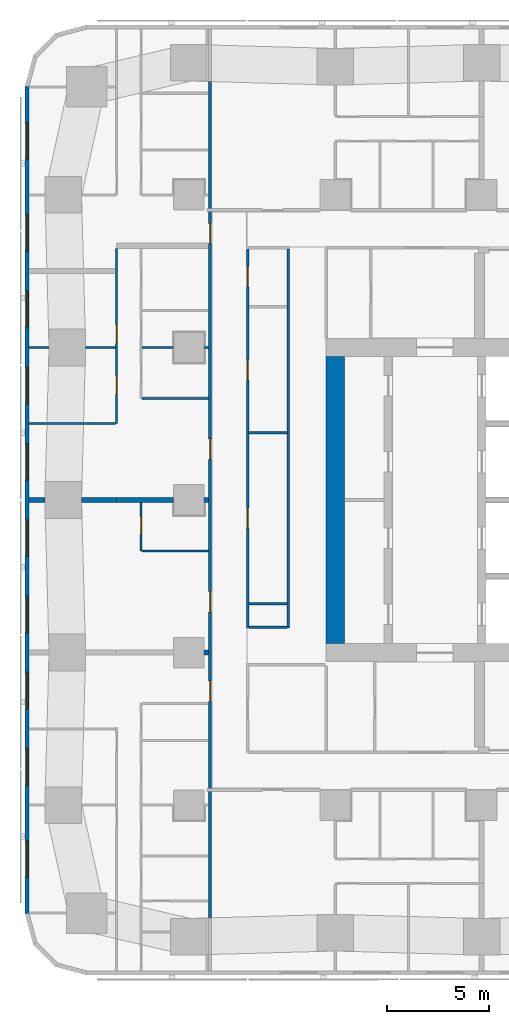
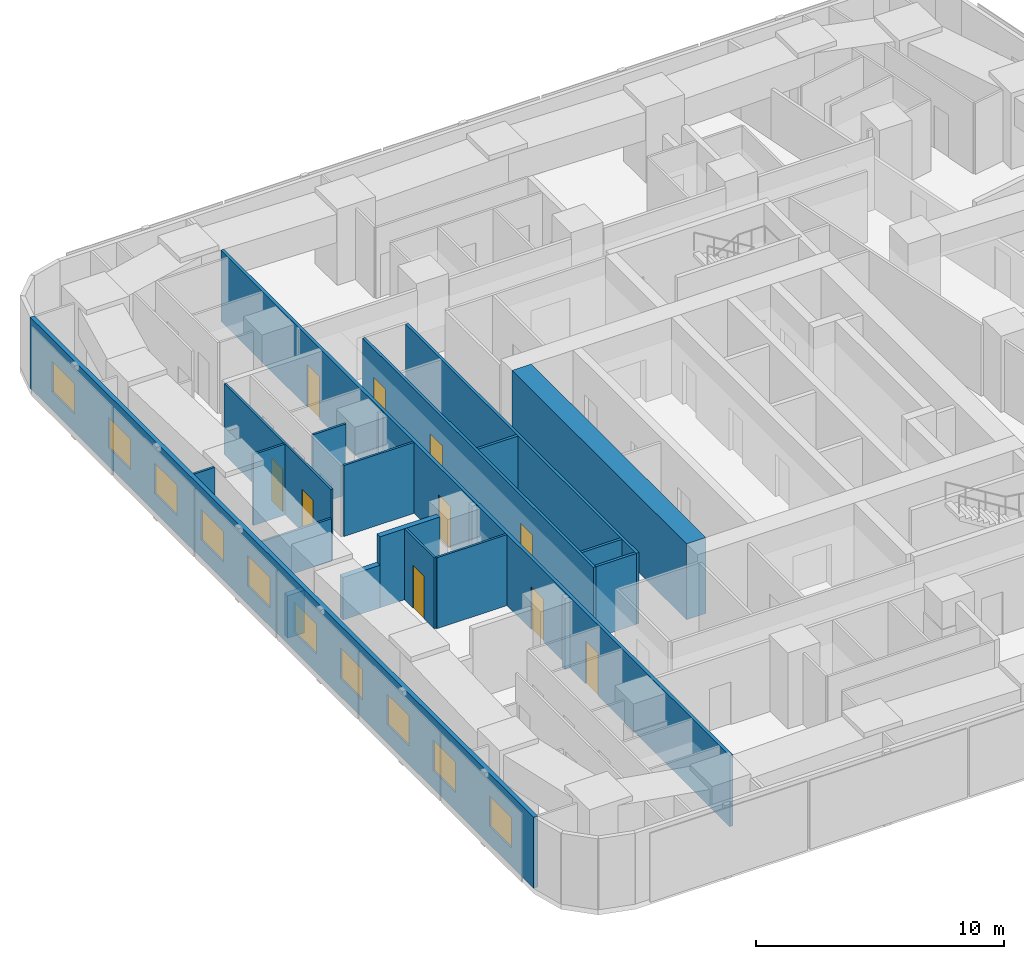
# One storey, part 4 of 15: 22 walls, 10 doors, 10 windows, 20 openings.
"""IFC4 building model written with IfcOpenShell, lengths in metres."""

from ifc_helpers import new_model, si_unit, direction, frame, frame_2d, origin, place, context, subcontext, project, spatial, rectangle, extrude, material, layer, layer_set, type_object, element, fill, save


model = new_model("IFC4")

# Units and contexts
model_context = context("Model", 3, precision=1e-05, world=origin(), true_north=direction((0.0, 1.0)))
body_context = subcontext(model_context, "Body", "Model", "MODEL_VIEW")
ifc_project = project(units=[si_unit("LENGTHUNIT", "METRE"), si_unit("AREAUNIT", "SQUARE_METRE"), si_unit("VOLUMEUNIT", "CUBIC_METRE"), si_unit("PLANEANGLEUNIT", "RADIAN"), si_unit("MASSUNIT", "GRAM", prefix="KILO")], contexts=[model_context])

# Site, building, storey
site_placement = place(None, origin())
site = spatial("IfcSite", under=ifc_project, at=site_placement, CompositionType="ELEMENT")
building_placement = place(site_placement, origin())
building = spatial("IfcBuilding", under=site, at=building_placement, Name="Sheger Commons Tower", CompositionType="ELEMENT")
storey_placement = place(building_placement, frame((0.0, 0.0, 169.550048828125)))
storey = spatial("IfcBuildingStorey", under=building, at=storey_placement, Name="L43", CompositionType="ELEMENT", Elevation=169.550048828125)

# Wall
ifc_material_1 = material(Name="Concrete C50/60", Category="concrete")
ifc_layer_1 = layer(ifc_material_1, 0.89990234375)
ifc_layer_set_1 = layer_set([ifc_layer_1], Name="CORE WALL 900")
wall_type_1 = type_object("IfcWallType", Name="CORE WALL 900", PredefinedType="SHEAR", material=ifc_layer_set_1)
wall_1_placement = place(storey_placement, frame((14.39990234375, 15.449951171875, 0.0), z_axis=(0.0, 0.0, 1.0), x_axis=(0.0, 1.0, 0.0)))
element("IfcWall", 1, at=wall_1_placement, inside=storey, type_object=wall_type_1, Name="Core wall west L43", PredefinedType="SHEAR", context=body_context, shape_type="SweptSolid", body=[
    extrude(rectangle(XDim=14.10009765625, YDim=0.89990234375, at=frame_2d((7.050048828125, 0.0))), origin(), (0.0, 0.0, 1.0), 3.75),
])

# Wall, openings, doors
ifc_material_2 = material(Name="Hollow concrete block masonry, skimmed both sides", Category="masonry")
ifc_layer_2 = layer(ifc_material_2, 0.14990234375)
ifc_layer_set_2 = layer_set([ifc_layer_2], Name="CORRIDOR WALL 150")
wall_type_2 = type_object("IfcWallType", Name="CORRIDOR WALL 150", PredefinedType="SOLIDWALL", material=ifc_layer_set_2)
wall_2_placement = place(storey_placement, frame((8.25, 1.95703125, 0.0), z_axis=(0.0, 0.0, 1.0), x_axis=(0.0, 1.0, 0.0)))
wall_2 = element("IfcWall", 2, at=wall_2_placement, inside=storey, type_object=wall_type_2, Name="Corridor wall L43", PredefinedType="SOLIDWALL", context=body_context, shape_type="SweptSolid", body=[
    extrude(rectangle(XDim=41.111083984375, YDim=0.14990234375, at=frame_2d((20.5556640625, 0.0))), origin(), (0.0, 0.0, 1.0), 3.5),
])
opening_1_placement = place(wall_2_placement, frame((10.64208984375, 0.0, 0.0)))
opening_1 = element("IfcOpeningElement", 3, at=opening_1_placement, cuts=wall_2, Name="Opening D1", PredefinedType="OPENING", context=body_context, shape_type="SweptSolid", body=[
    extrude(rectangle(XDim=1.0, YDim=2.10009765625, at=frame_2d((0.5, 1.050048828125))), frame((0.0, 0.0849609375, 0.0), z_axis=(0.0, -1.0, 0.0), x_axis=(1.0, 0.0, 0.0)), (0.0, 0.0, 1.0), 0.169921875),
])
opening_2_placement = place(wall_2_placement, frame((15.0419921875, 0.0, 0.0)))
opening_2 = element("IfcOpeningElement", 4, at=opening_2_placement, cuts=wall_2, Name="Opening D1", PredefinedType="OPENING", context=body_context, shape_type="SweptSolid", body=[
    extrude(rectangle(XDim=1.0, YDim=2.10009765625, at=frame_2d((0.5, 1.050048828125))), frame((0.0, 0.0849609375, 0.0), z_axis=(0.0, -1.0, 0.0), x_axis=(1.0, 0.0, 0.0)), (0.0, 0.0, 1.0), 0.169921875),
])
opening_3_placement = place(wall_2_placement, frame((22.54296875, 0.0, 0.0)))
opening_3 = element("IfcOpeningElement", 5, at=opening_3_placement, cuts=wall_2, Name="Opening D1", PredefinedType="OPENING", context=body_context, shape_type="SweptSolid", body=[
    extrude(rectangle(XDim=1.0, YDim=2.10009765625, at=frame_2d((0.5, 1.050048828125))), frame((0.0, 0.0849609375, 0.0), z_axis=(0.0, -1.0, 0.0), x_axis=(1.0, 0.0, 0.0)), (0.0, 0.0, 1.0), 0.169921875),
])
opening_4_placement = place(wall_2_placement, frame((33.14208984375, 0.0, 0.0)))
opening_4 = element("IfcOpeningElement", 6, at=opening_4_placement, cuts=wall_2, Name="Opening D1", PredefinedType="OPENING", context=body_context, shape_type="SweptSolid", body=[
    extrude(rectangle(XDim=1.0, YDim=2.10009765625, at=frame_2d((0.5, 1.050048828125))), frame((0.0, 0.0849609375, 0.0), z_axis=(0.0, -1.0, 0.0), x_axis=(1.0, 0.0, 0.0)), (0.0, 0.0, 1.0), 0.169921875),
])
ifc_material_3 = material(Name="Steel door set, fire rated", Category="steel")
door_type_1 = type_object("IfcDoorType", Name="FLAT ENTRANCE DOOR 1000x2100", OperationType="NOTDEFINED", PredefinedType="DOOR", material=ifc_material_3)
door_1_placement = place(opening_1_placement, origin())
door_1 = element("IfcDoor", 7, at=door_1_placement, inside=storey, type_object=door_type_1, Name="Flat entrance door", OperationType="SINGLE_SWING_LEFT", OverallHeight=2.10009765625, OverallWidth=1.0, PredefinedType="DOOR", context=body_context, shape_type="SweptSolid", body=[
    extrude(rectangle(XDim=1.0, YDim=2.10009765625, at=frame_2d((0.5, 1.050048828125))), frame((0.0, 0.02490234375, 0.0), z_axis=(0.0, -1.0, 0.0), x_axis=(1.0, 0.0, 0.0)), (0.0, 0.0, 1.0), 0.050048828125),
])
fill(opening_1, door_1)
door_2_placement = place(opening_2_placement, origin())
door_2 = element("IfcDoor", 8, at=door_2_placement, inside=storey, type_object=door_type_1, Name="Flat entrance door", OperationType="SINGLE_SWING_LEFT", OverallHeight=2.10009765625, OverallWidth=1.0, PredefinedType="DOOR", context=body_context, shape_type="SweptSolid", body=[
    extrude(rectangle(XDim=1.0, YDim=2.10009765625, at=frame_2d((0.5, 1.050048828125))), frame((0.0, 0.02490234375, 0.0), z_axis=(0.0, -1.0, 0.0), x_axis=(1.0, 0.0, 0.0)), (0.0, 0.0, 1.0), 0.050048828125),
])
fill(opening_2, door_2)
door_3_placement = place(opening_3_placement, origin())
door_3 = element("IfcDoor", 9, at=door_3_placement, inside=storey, type_object=door_type_1, Name="Flat entrance door", OperationType="SINGLE_SWING_LEFT", OverallHeight=2.10009765625, OverallWidth=1.0, PredefinedType="DOOR", context=body_context, shape_type="SweptSolid", body=[
    extrude(rectangle(XDim=1.0, YDim=2.10009765625, at=frame_2d((0.5, 1.050048828125))), frame((0.0, 0.02490234375, 0.0), z_axis=(0.0, -1.0, 0.0), x_axis=(1.0, 0.0, 0.0)), (0.0, 0.0, 1.0), 0.050048828125),
])
fill(opening_3, door_3)
door_4_placement = place(opening_4_placement, origin())
door_4 = element("IfcDoor", 10, at=door_4_placement, inside=storey, type_object=door_type_1, Name="Flat entrance door", OperationType="SINGLE_SWING_LEFT", OverallHeight=2.10009765625, OverallWidth=1.0, PredefinedType="DOOR", context=body_context, shape_type="SweptSolid", body=[
    extrude(rectangle(XDim=1.0, YDim=2.10009765625, at=frame_2d((0.5, 1.050048828125))), frame((0.0, 0.02490234375, 0.0), z_axis=(0.0, -1.0, 0.0), x_axis=(1.0, 0.0, 0.0)), (0.0, 0.0, 1.0), 0.050048828125),
])
fill(opening_4, door_4)

# Walls
ifc_material_4 = material(Name="Dense concrete block masonry, plastered both sides (separating wall between flats)", Category="masonry")
ifc_layer_3 = layer(ifc_material_4, 0.25)
ifc_layer_set_3 = layer_set([ifc_layer_3], Name="DEMISING WALL 250")
wall_type_3 = type_object("IfcWallType", Name="DEMISING WALL 250", PredefinedType="SOLIDWALL", material=ifc_layer_set_3)
wall_3_placement = place(storey_placement, frame((7.950927734375, 15.0, 0.0), z_axis=(0.0, 0.0, 1.0), x_axis=(1.0, 0.0, 0.0)))
element("IfcWall", 11, at=wall_3_placement, inside=storey, type_object=wall_type_3, Name="Demising wall L43", PredefinedType="SOLIDWALL", context=body_context, shape_type="SweptSolid", body=[
    extrude(rectangle(XDim=0.22412109375, YDim=0.25, at=frame_2d((0.112060546875, 0.0))), origin(), (0.0, 0.0, 1.0), 3.5),
])
wall_4_placement = place(storey_placement, frame((-0.64990234375, 22.5, 0.0), z_axis=(0.0, 0.0, 1.0), x_axis=(1.0, 0.0, 0.0)))
element("IfcWall", 12, at=wall_4_placement, inside=storey, type_object=wall_type_3, Name="Demising wall L43", PredefinedType="SOLIDWALL", context=body_context, shape_type="SweptSolid", body=[
    extrude(rectangle(XDim=0.77392578125, YDim=0.25, at=frame_2d((0.386962890625, 0.0))), origin(), (0.0, 0.0, 1.0), 2.099853515625),
])
wall_5_placement = place(storey_placement, frame((1.926025390625, 22.5, 0.0), z_axis=(0.0, 0.0, 1.0), x_axis=(1.0, 0.0, 0.0)))
element("IfcWall", 13, at=wall_5_placement, inside=storey, type_object=wall_type_3, Name="Demising wall L43", PredefinedType="SOLIDWALL", context=body_context, shape_type="SweptSolid", body=[
    extrude(rectangle(XDim=1.723876953125, YDim=0.25, at=frame_2d((0.86181640625, 0.0))), origin(), (0.0, 0.0, 1.0), 2.099853515625),
])
wall_6_placement = place(storey_placement, frame((3.64990234375, 22.5, 0.0), z_axis=(0.0, 0.0, 1.0), x_axis=(1.0, 0.0, 0.0)))
element("IfcWall", 14, at=wall_6_placement, inside=storey, type_object=wall_type_3, Name="Demising wall L43", PredefinedType="SOLIDWALL", context=body_context, shape_type="SweptSolid", body=[
    extrude(rectangle(XDim=2.799072265625, YDim=0.25, at=frame_2d((1.3994140625, 0.0))), origin(), (0.0, 0.0, 1.0), 3.5),
])
wall_7_placement = place(storey_placement, frame((7.950927734375, 22.5, 0.0), z_axis=(0.0, 0.0, 1.0), x_axis=(1.0, 0.0, 0.0)))
element("IfcWall", 15, at=wall_7_placement, inside=storey, type_object=wall_type_3, Name="Demising wall L43", PredefinedType="SOLIDWALL", context=body_context, shape_type="SweptSolid", body=[
    extrude(rectangle(XDim=0.22412109375, YDim=0.25, at=frame_2d((0.112060546875, 0.0))), origin(), (0.0, 0.0, 1.0), 3.5),
])

# Wall, openings, windows
ifc_material_5 = material(Name="Rendered concrete block masonry, dark grey", Category="masonry")
ifc_layer_4 = layer(ifc_material_5, 0.199951171875)
ifc_layer_set_4 = layer_set([ifc_layer_4], Name="FACADE WALL 200")
wall_type_4 = type_object("IfcWallType", Name="FACADE WALL 200", PredefinedType="SOLIDWALL", material=ifc_layer_set_4)
wall_8_placement = place(storey_placement, frame((-0.75, 42.8369140625, 0.0), z_axis=(0.0, 0.0, 1.0), x_axis=(0.0, -1.0, 0.0)))
wall_8 = element("IfcWall", 16, at=wall_8_placement, inside=storey, type_object=wall_type_4, Name="Facade wall L43", PredefinedType="SOLIDWALL", context=body_context, shape_type="SweptSolid", body=[
    extrude(rectangle(XDim=40.673828125, YDim=0.199951171875, at=frame_2d((20.3369140625, 0.0))), origin(), (0.0, 0.0, 1.0), 3.5),
])
opening_5_placement = place(wall_8_placement, frame((1.780029296875, 0.0, 0.89990234375)))
opening_5 = element("IfcOpeningElement", 17, at=opening_5_placement, cuts=wall_8, Name="Opening W2", PredefinedType="OPENING", context=body_context, shape_type="SweptSolid", body=[
    extrude(rectangle(XDim=1.800048828125, YDim=1.5, at=frame_2d((0.89990234375, 0.75))), frame((0.0, 0.10986328125, 0.0), z_axis=(0.0, -1.0, 0.0), x_axis=(1.0, 0.0, 0.0)), (0.0, 0.0, 1.0), 0.219970703125),
])
opening_6_placement = place(wall_8_placement, frame((6.31201171875, 0.0, 0.89990234375)))
opening_6 = element("IfcOpeningElement", 18, at=opening_6_placement, cuts=wall_8, Name="Opening W2", PredefinedType="OPENING", context=body_context, shape_type="SweptSolid", body=[
    extrude(rectangle(XDim=1.800048828125, YDim=1.5, at=frame_2d((0.89990234375, 0.75))), frame((0.0, 0.10986328125, 0.0), z_axis=(0.0, -1.0, 0.0), x_axis=(1.0, 0.0, 0.0)), (0.0, 0.0, 1.0), 0.219970703125),
])
opening_7_placement = place(wall_8_placement, frame((10.06201171875, 0.0, 0.89990234375)))
opening_7 = element("IfcOpeningElement", 19, at=opening_7_placement, cuts=wall_8, Name="Opening W2", PredefinedType="OPENING", context=body_context, shape_type="SweptSolid", body=[
    extrude(rectangle(XDim=1.800048828125, YDim=1.5, at=frame_2d((0.89990234375, 0.75))), frame((0.0, 0.10986328125, 0.0), z_axis=(0.0, -1.0, 0.0), x_axis=(1.0, 0.0, 0.0)), (0.0, 0.0, 1.0), 0.219970703125),
])
opening_8_placement = place(wall_8_placement, frame((13.81201171875, 0.0, 0.89990234375)))
opening_8 = element("IfcOpeningElement", 20, at=opening_8_placement, cuts=wall_8, Name="Opening W2", PredefinedType="OPENING", context=body_context, shape_type="SweptSolid", body=[
    extrude(rectangle(XDim=1.800048828125, YDim=1.5, at=frame_2d((0.89990234375, 0.75))), frame((0.0, 0.10986328125, 0.0), z_axis=(0.0, -1.0, 0.0), x_axis=(1.0, 0.0, 0.0)), (0.0, 0.0, 1.0), 0.219970703125),
])
opening_9_placement = place(wall_8_placement, frame((17.56201171875, 0.0, 0.89990234375)))
opening_9 = element("IfcOpeningElement", 21, at=opening_9_placement, cuts=wall_8, Name="Opening W2", PredefinedType="OPENING", context=body_context, shape_type="SweptSolid", body=[
    extrude(rectangle(XDim=1.800048828125, YDim=1.5, at=frame_2d((0.89990234375, 0.75))), frame((0.0, 0.10986328125, 0.0), z_axis=(0.0, -1.0, 0.0), x_axis=(1.0, 0.0, 0.0)), (0.0, 0.0, 1.0), 0.219970703125),
])
opening_10_placement = place(wall_8_placement, frame((21.31201171875, 0.0, 0.89990234375)))
opening_10 = element("IfcOpeningElement", 22, at=opening_10_placement, cuts=wall_8, Name="Opening W2", PredefinedType="OPENING", context=body_context, shape_type="SweptSolid", body=[
    extrude(rectangle(XDim=1.800048828125, YDim=1.5, at=frame_2d((0.89990234375, 0.75))), frame((0.0, 0.10986328125, 0.0), z_axis=(0.0, -1.0, 0.0), x_axis=(1.0, 0.0, 0.0)), (0.0, 0.0, 1.0), 0.219970703125),
])
opening_11_placement = place(wall_8_placement, frame((25.06201171875, 0.0, 0.89990234375)))
opening_11 = element("IfcOpeningElement", 23, at=opening_11_placement, cuts=wall_8, Name="Opening W2", PredefinedType="OPENING", context=body_context, shape_type="SweptSolid", body=[
    extrude(rectangle(XDim=1.800048828125, YDim=1.5, at=frame_2d((0.89990234375, 0.75))), frame((0.0, 0.10986328125, 0.0), z_axis=(0.0, -1.0, 0.0), x_axis=(1.0, 0.0, 0.0)), (0.0, 0.0, 1.0), 0.219970703125),
])
opening_12_placement = place(wall_8_placement, frame((28.81201171875, 0.0, 0.89990234375)))
opening_12 = element("IfcOpeningElement", 24, at=opening_12_placement, cuts=wall_8, Name="Opening W2", PredefinedType="OPENING", context=body_context, shape_type="SweptSolid", body=[
    extrude(rectangle(XDim=1.800048828125, YDim=1.5, at=frame_2d((0.89990234375, 0.75))), frame((0.0, 0.10986328125, 0.0), z_axis=(0.0, -1.0, 0.0), x_axis=(1.0, 0.0, 0.0)), (0.0, 0.0, 1.0), 0.219970703125),
])
opening_13_placement = place(wall_8_placement, frame((32.56201171875, 0.0, 0.89990234375)))
opening_13 = element("IfcOpeningElement", 25, at=opening_13_placement, cuts=wall_8, Name="Opening W2", PredefinedType="OPENING", context=body_context, shape_type="SweptSolid", body=[
    extrude(rectangle(XDim=1.800048828125, YDim=1.5, at=frame_2d((0.89990234375, 0.75))), frame((0.0, 0.10986328125, 0.0), z_axis=(0.0, -1.0, 0.0), x_axis=(1.0, 0.0, 0.0)), (0.0, 0.0, 1.0), 0.219970703125),
])
opening_14_placement = place(wall_8_placement, frame((37.093994140625, 0.0, 0.89990234375)))
opening_14 = element("IfcOpeningElement", 26, at=opening_14_placement, cuts=wall_8, Name="Opening W2", PredefinedType="OPENING", context=body_context, shape_type="SweptSolid", body=[
    extrude(rectangle(XDim=1.800048828125, YDim=1.5, at=frame_2d((0.89990234375, 0.75))), frame((0.0, 0.10986328125, 0.0), z_axis=(0.0, -1.0, 0.0), x_axis=(1.0, 0.0, 0.0)), (0.0, 0.0, 1.0), 0.219970703125),
])
ifc_material_6 = material(Name="Black aluminium frame, dark tinted double glazing", Category="aluminium")
window_type = type_object("IfcWindowType", Name="WINDOW W2 1800x1500", PartitioningType="SINGLE_PANEL", PredefinedType="WINDOW", material=ifc_material_6)
window_1_placement = place(opening_5_placement, origin())
window_1 = element("IfcWindow", 27, at=window_1_placement, inside=storey, type_object=window_type, Name="Window W2 1800X1500", OverallHeight=1.5, OverallWidth=1.800048828125, PartitioningType="SINGLE_PANEL", PredefinedType="WINDOW", context=body_context, shape_type="SweptSolid", body=[
    extrude(rectangle(XDim=1.800048828125, YDim=1.5, at=frame_2d((0.89990234375, 0.75))), frame((0.0, 0.030029296875, 0.0), z_axis=(0.0, -1.0, 0.0), x_axis=(1.0, 0.0, 0.0)), (0.0, 0.0, 1.0), 0.06005859375),
])
fill(opening_5, window_1)
window_2_placement = place(opening_6_placement, origin())
window_2 = element("IfcWindow", 28, at=window_2_placement, inside=storey, type_object=window_type, Name="Window W2 1800X1500", OverallHeight=1.5, OverallWidth=1.800048828125, PartitioningType="SINGLE_PANEL", PredefinedType="WINDOW", context=body_context, shape_type="SweptSolid", body=[
    extrude(rectangle(XDim=1.800048828125, YDim=1.5, at=frame_2d((0.89990234375, 0.75))), frame((0.0, 0.030029296875, 0.0), z_axis=(0.0, -1.0, 0.0), x_axis=(1.0, 0.0, 0.0)), (0.0, 0.0, 1.0), 0.06005859375),
])
fill(opening_6, window_2)
window_3_placement = place(opening_7_placement, origin())
window_3 = element("IfcWindow", 29, at=window_3_placement, inside=storey, type_object=window_type, Name="Window W2 1800X1500", OverallHeight=1.5, OverallWidth=1.800048828125, PartitioningType="SINGLE_PANEL", PredefinedType="WINDOW", context=body_context, shape_type="SweptSolid", body=[
    extrude(rectangle(XDim=1.800048828125, YDim=1.5, at=frame_2d((0.89990234375, 0.75))), frame((0.0, 0.030029296875, 0.0), z_axis=(0.0, -1.0, 0.0), x_axis=(1.0, 0.0, 0.0)), (0.0, 0.0, 1.0), 0.06005859375),
])
fill(opening_7, window_3)
window_4_placement = place(opening_8_placement, origin())
window_4 = element("IfcWindow", 30, at=window_4_placement, inside=storey, type_object=window_type, Name="Window W2 1800X1500", OverallHeight=1.5, OverallWidth=1.800048828125, PartitioningType="SINGLE_PANEL", PredefinedType="WINDOW", context=body_context, shape_type="SweptSolid", body=[
    extrude(rectangle(XDim=1.800048828125, YDim=1.5, at=frame_2d((0.89990234375, 0.75))), frame((0.0, 0.030029296875, 0.0), z_axis=(0.0, -1.0, 0.0), x_axis=(1.0, 0.0, 0.0)), (0.0, 0.0, 1.0), 0.06005859375),
])
fill(opening_8, window_4)
window_5_placement = place(opening_9_placement, origin())
window_5 = element("IfcWindow", 31, at=window_5_placement, inside=storey, type_object=window_type, Name="Window W2 1800X1500", OverallHeight=1.5, OverallWidth=1.800048828125, PartitioningType="SINGLE_PANEL", PredefinedType="WINDOW", context=body_context, shape_type="SweptSolid", body=[
    extrude(rectangle(XDim=1.800048828125, YDim=1.5, at=frame_2d((0.89990234375, 0.75))), frame((0.0, 0.030029296875, 0.0), z_axis=(0.0, -1.0, 0.0), x_axis=(1.0, 0.0, 0.0)), (0.0, 0.0, 1.0), 0.06005859375),
])
fill(opening_9, window_5)
window_6_placement = place(opening_10_placement, origin())
window_6 = element("IfcWindow", 32, at=window_6_placement, inside=storey, type_object=window_type, Name="Window W2 1800X1500", OverallHeight=1.5, OverallWidth=1.800048828125, PartitioningType="SINGLE_PANEL", PredefinedType="WINDOW", context=body_context, shape_type="SweptSolid", body=[
    extrude(rectangle(XDim=1.800048828125, YDim=1.5, at=frame_2d((0.89990234375, 0.75))), frame((0.0, 0.030029296875, 0.0), z_axis=(0.0, -1.0, 0.0), x_axis=(1.0, 0.0, 0.0)), (0.0, 0.0, 1.0), 0.06005859375),
])
fill(opening_10, window_6)
window_7_placement = place(opening_11_placement, origin())
window_7 = element("IfcWindow", 33, at=window_7_placement, inside=storey, type_object=window_type, Name="Window W2 1800X1500", OverallHeight=1.5, OverallWidth=1.800048828125, PartitioningType="SINGLE_PANEL", PredefinedType="WINDOW", context=body_context, shape_type="SweptSolid", body=[
    extrude(rectangle(XDim=1.800048828125, YDim=1.5, at=frame_2d((0.89990234375, 0.75))), frame((0.0, 0.030029296875, 0.0), z_axis=(0.0, -1.0, 0.0), x_axis=(1.0, 0.0, 0.0)), (0.0, 0.0, 1.0), 0.06005859375),
])
fill(opening_11, window_7)
window_8_placement = place(opening_12_placement, origin())
window_8 = element("IfcWindow", 34, at=window_8_placement, inside=storey, type_object=window_type, Name="Window W2 1800X1500", OverallHeight=1.5, OverallWidth=1.800048828125, PartitioningType="SINGLE_PANEL", PredefinedType="WINDOW", context=body_context, shape_type="SweptSolid", body=[
    extrude(rectangle(XDim=1.800048828125, YDim=1.5, at=frame_2d((0.89990234375, 0.75))), frame((0.0, 0.030029296875, 0.0), z_axis=(0.0, -1.0, 0.0), x_axis=(1.0, 0.0, 0.0)), (0.0, 0.0, 1.0), 0.06005859375),
])
fill(opening_12, window_8)
window_9_placement = place(opening_13_placement, origin())
window_9 = element("IfcWindow", 35, at=window_9_placement, inside=storey, type_object=window_type, Name="Window W2 1800X1500", OverallHeight=1.5, OverallWidth=1.800048828125, PartitioningType="SINGLE_PANEL", PredefinedType="WINDOW", context=body_context, shape_type="SweptSolid", body=[
    extrude(rectangle(XDim=1.800048828125, YDim=1.5, at=frame_2d((0.89990234375, 0.75))), frame((0.0, 0.030029296875, 0.0), z_axis=(0.0, -1.0, 0.0), x_axis=(1.0, 0.0, 0.0)), (0.0, 0.0, 1.0), 0.06005859375),
])
fill(opening_13, window_9)
window_10_placement = place(opening_14_placement, origin())
window_10 = element("IfcWindow", 36, at=window_10_placement, inside=storey, type_object=window_type, Name="Window W2 1800X1500", OverallHeight=1.5, OverallWidth=1.800048828125, PartitioningType="SINGLE_PANEL", PredefinedType="WINDOW", context=body_context, shape_type="SweptSolid", body=[
    extrude(rectangle(XDim=1.800048828125, YDim=1.5, at=frame_2d((0.89990234375, 0.75))), frame((0.0, 0.030029296875, 0.0), z_axis=(0.0, -1.0, 0.0), x_axis=(1.0, 0.0, 0.0)), (0.0, 0.0, 1.0), 0.06005859375),
])
fill(opening_14, window_10)

# Wall, opening, door
ifc_material_7 = material(Name="Gypsum board on steel studs", Category="steel")
ifc_layer_5 = layer(ifc_material_7, 0.10009765625)
ifc_layer_set_5 = layer_set([ifc_layer_5], Name="PARTITION 100")
wall_type_5 = type_object("IfcWallType", Name="PARTITION 100", PredefinedType="PARTITIONING", material=ifc_layer_set_5)
wall_9_placement = place(storey_placement, frame((4.85009765625, 19.9990234375, 0.0), z_axis=(0.0, 0.0, 1.0), x_axis=(0.0, 1.0, 0.0)))
wall_9 = element("IfcWall", 37, at=wall_9_placement, inside=storey, type_object=wall_type_5, Name="Partition L43", PredefinedType="PARTITIONING", context=body_context, shape_type="SweptSolid", body=[
    extrude(rectangle(XDim=2.3759765625, YDim=0.10009765625, at=frame_2d((1.18798828125, 0.0))), origin(), (0.0, 0.0, 1.0), 3.5),
])
opening_15_placement = place(wall_9_placement, frame((0.800048828125, 0.0, 0.0)))
opening_15 = element("IfcOpeningElement", 38, at=opening_15_placement, cuts=wall_9, Name="Opening D2", PredefinedType="OPENING", context=body_context, shape_type="SweptSolid", body=[
    extrude(rectangle(XDim=0.89990234375, YDim=2.10009765625, at=frame_2d((0.449951171875, 1.050048828125))), frame((0.0, 0.06005859375, 0.0), z_axis=(0.0, -1.0, 0.0), x_axis=(1.0, 0.0, 0.0)), (0.0, 0.0, 1.0), 0.1201171875),
])
ifc_material_8 = material(Name="Timber door set", Category="wood")
door_type_2 = type_object("IfcDoorType", Name="INTERNAL DOOR 900x2100", OperationType="NOTDEFINED", PredefinedType="DOOR", material=ifc_material_8)
door_5_placement = place(opening_15_placement, origin())
door_5 = element("IfcDoor", 39, at=door_5_placement, inside=storey, type_object=door_type_2, Name="Bathroom door", OperationType="SINGLE_SWING_LEFT", OverallHeight=2.10009765625, OverallWidth=0.89990234375, PredefinedType="DOOR", context=body_context, shape_type="SweptSolid", body=[
    extrude(rectangle(XDim=0.89990234375, YDim=2.10009765625, at=frame_2d((0.449951171875, 1.050048828125))), frame((0.0, 0.02490234375, 0.0), z_axis=(0.0, -1.0, 0.0), x_axis=(1.0, 0.0, 0.0)), (0.0, 0.0, 1.0), 0.050048828125),
])
fill(opening_15, door_5)

# Wall
wall_10_placement = place(storey_placement, frame((4.89990234375, 19.9990234375, 0.0), z_axis=(0.0, 0.0, 1.0), x_axis=(1.0, 0.0, 0.0)))
element("IfcWall", 40, at=wall_10_placement, inside=storey, type_object=wall_type_5, Name="Partition L43", PredefinedType="PARTITIONING", context=body_context, shape_type="SweptSolid", body=[
    extrude(rectangle(XDim=3.275146484375, YDim=0.10009765625, at=frame_2d((1.6376953125, 0.0))), origin(), (0.0, 0.0, 1.0), 3.5),
])

# Wall, openings, doors
wall_11_placement = place(storey_placement, frame((3.64990234375, 26.25, 0.0), z_axis=(0.0, 0.0, 1.0), x_axis=(0.0, 1.0, 0.0)))
wall_11 = element("IfcWall", 41, at=wall_11_placement, inside=storey, type_object=wall_type_5, Name="Partition L43", PredefinedType="PARTITIONING", context=body_context, shape_type="SweptSolid", body=[
    extrude(rectangle(XDim=8.6240234375, YDim=0.10009765625, at=frame_2d((4.31201171875, 0.0))), origin(), (0.0, 0.0, 1.0), 3.5),
])
opening_16_placement = place(wall_11_placement, frame((1.448974609375, 0.0, 0.0)))
opening_16 = element("IfcOpeningElement", 42, at=opening_16_placement, cuts=wall_11, Name="Opening D2", PredefinedType="OPENING", context=body_context, shape_type="SweptSolid", body=[
    extrude(rectangle(XDim=0.89990234375, YDim=2.10009765625, at=frame_2d((0.449951171875, 1.050048828125))), frame((0.0, 0.06005859375, 0.0), z_axis=(0.0, -1.0, 0.0), x_axis=(1.0, 0.0, 0.0)), (0.0, 0.0, 1.0), 0.1201171875),
])
opening_17_placement = place(wall_11_placement, frame((3.949951171875, 0.0, 0.0)))
opening_17 = element("IfcOpeningElement", 43, at=opening_17_placement, cuts=wall_11, Name="Opening D2", PredefinedType="OPENING", context=body_context, shape_type="SweptSolid", body=[
    extrude(rectangle(XDim=0.89990234375, YDim=2.10009765625, at=frame_2d((0.449951171875, 1.050048828125))), frame((0.0, 0.06005859375, 0.0), z_axis=(0.0, -1.0, 0.0), x_axis=(1.0, 0.0, 0.0)), (0.0, 0.0, 1.0), 0.1201171875),
])
door_6_placement = place(opening_16_placement, origin())
door_6 = element("IfcDoor", 44, at=door_6_placement, inside=storey, type_object=door_type_2, Name="Main bedroom door", OperationType="SINGLE_SWING_LEFT", OverallHeight=2.10009765625, OverallWidth=0.89990234375, PredefinedType="DOOR", context=body_context, shape_type="SweptSolid", body=[
    extrude(rectangle(XDim=0.89990234375, YDim=2.10009765625, at=frame_2d((0.449951171875, 1.050048828125))), frame((0.0, 0.02490234375, 0.0), z_axis=(0.0, -1.0, 0.0), x_axis=(1.0, 0.0, 0.0)), (0.0, 0.0, 1.0), 0.050048828125),
])
fill(opening_16, door_6)
door_7_placement = place(opening_17_placement, origin())
door_7 = element("IfcDoor", 45, at=door_7_placement, inside=storey, type_object=door_type_2, Name="Bedroom 2 door", OperationType="SINGLE_SWING_LEFT", OverallHeight=2.10009765625, OverallWidth=0.89990234375, PredefinedType="DOOR", context=body_context, shape_type="SweptSolid", body=[
    extrude(rectangle(XDim=0.89990234375, YDim=2.10009765625, at=frame_2d((0.449951171875, 1.050048828125))), frame((0.0, 0.02490234375, 0.0), z_axis=(0.0, -1.0, 0.0), x_axis=(1.0, 0.0, 0.0)), (0.0, 0.0, 1.0), 0.050048828125),
])
fill(opening_17, door_7)

# Walls
wall_12_placement = place(storey_placement, frame((-0.64990234375, 26.25, 0.0), z_axis=(0.0, 0.0, 1.0), x_axis=(1.0, 0.0, 0.0)))
element("IfcWall", 46, at=wall_12_placement, inside=storey, type_object=wall_type_5, Name="Partition L43", PredefinedType="PARTITIONING", context=body_context, shape_type="SweptSolid", body=[
    extrude(rectangle(XDim=4.25, YDim=0.10009765625, at=frame_2d((2.125, 0.0))), origin(), (0.0, 0.0, 1.0), 2.099853515625),
])
wall_13_placement = place(storey_placement, frame((-0.64990234375, 30.0, 0.0), z_axis=(0.0, 0.0, 1.0), x_axis=(1.0, 0.0, 0.0)))
element("IfcWall", 47, at=wall_13_placement, inside=storey, type_object=wall_type_5, Name="Partition L43", PredefinedType="PARTITIONING", context=body_context, shape_type="SweptSolid", body=[
    extrude(rectangle(XDim=0.973876953125, YDim=0.10009765625, at=frame_2d((0.48681640625, 0.0))), origin(), (0.0, 0.0, 1.0), 3.5),
])
wall_14_placement = place(storey_placement, frame((2.1259765625, 30.0, 0.0), z_axis=(0.0, 0.0, 1.0), x_axis=(1.0, 0.0, 0.0)))
element("IfcWall", 48, at=wall_14_placement, inside=storey, type_object=wall_type_5, Name="Partition L43", PredefinedType="PARTITIONING", context=body_context, shape_type="SweptSolid", body=[
    extrude(rectangle(XDim=1.47412109375, YDim=0.10009765625, at=frame_2d((0.737060546875, 0.0))), origin(), (0.0, 0.0, 1.0), 3.5),
])
wall_15_placement = place(storey_placement, frame((4.89990234375, 27.4990234375, 0.0), z_axis=(0.0, 0.0, 1.0), x_axis=(1.0, 0.0, 0.0)))
element("IfcWall", 49, at=wall_15_placement, inside=storey, type_object=wall_type_5, Name="Partition L43", PredefinedType="PARTITIONING", context=body_context, shape_type="SweptSolid", body=[
    extrude(rectangle(XDim=3.275146484375, YDim=0.10009765625, at=frame_2d((1.6376953125, 0.0))), origin(), (0.0, 0.0, 1.0), 3.5),
])
wall_16_placement = place(storey_placement, frame((4.89990234375, 30.0, 0.0), z_axis=(0.0, 0.0, 1.0), x_axis=(1.0, 0.0, 0.0)))
element("IfcWall", 50, at=wall_16_placement, inside=storey, type_object=wall_type_5, Name="Partition L43", PredefinedType="PARTITIONING", context=body_context, shape_type="SweptSolid", body=[
    extrude(rectangle(XDim=1.549072265625, YDim=0.10009765625, at=frame_2d((0.7744140625, 0.0))), origin(), (0.0, 0.0, 1.0), 3.5),
])
wall_17_placement = place(storey_placement, frame((7.950927734375, 30.0, 0.0), z_axis=(0.0, 0.0, 1.0), x_axis=(1.0, 0.0, 0.0)))
element("IfcWall", 51, at=wall_17_placement, inside=storey, type_object=wall_type_5, Name="Partition L43", PredefinedType="PARTITIONING", context=body_context, shape_type="SweptSolid", body=[
    extrude(rectangle(XDim=0.22412109375, YDim=0.10009765625, at=frame_2d((0.112060546875, 0.0))), origin(), (0.0, 0.0, 1.0), 3.5),
])

# Wall, openings, doors
ifc_material_9 = material(Name="Gypsum board on steel studs, two layers each side, fire rated", Category="steel")
ifc_layer_6 = layer(ifc_material_9, 0.125)
ifc_layer_set_6 = layer_set([ifc_layer_6], Name="SERVICE WALL 125")
wall_type_6 = type_object("IfcWallType", Name="SERVICE WALL 125", PredefinedType="PARTITIONING", material=ifc_layer_set_6)
wall_18_placement = place(storey_placement, frame((10.10009765625, 16.199951171875, 0.0), z_axis=(0.0, 0.0, 1.0), x_axis=(0.0, 1.0, 0.0)))
wall_18 = element("IfcWall", 52, at=wall_18_placement, inside=storey, type_object=wall_type_6, Name="Service room wall L43", PredefinedType="PARTITIONING", context=body_context, shape_type="SweptSolid", body=[
    extrude(rectangle(XDim=18.637939453125, YDim=0.125, at=frame_2d((9.31884765625, 0.0))), origin(), (0.0, 0.0, 1.0), 3.5),
])
opening_18_placement = place(wall_18_placement, frame((4.89990234375, 0.0, 0.0)))
opening_18 = element("IfcOpeningElement", 53, at=opening_18_placement, cuts=wall_18, Name="Opening D4", PredefinedType="OPENING", context=body_context, shape_type="SweptSolid", body=[
    extrude(rectangle(XDim=1.0, YDim=2.10009765625, at=frame_2d((0.5, 1.050048828125))), frame((0.0, 0.072509765625, 0.0), z_axis=(0.0, -1.0, 0.0), x_axis=(1.0, 0.0, 0.0)), (0.0, 0.0, 1.0), 0.14501953125),
])
opening_19_placement = place(wall_18_placement, frame((12.199951171875, 0.0, 0.0)))
opening_19 = element("IfcOpeningElement", 54, at=opening_19_placement, cuts=wall_18, Name="Opening D4", PredefinedType="OPENING", context=body_context, shape_type="SweptSolid", body=[
    extrude(rectangle(XDim=1.0, YDim=2.10009765625, at=frame_2d((0.5, 1.050048828125))), frame((0.0, 0.072509765625, 0.0), z_axis=(0.0, -1.0, 0.0), x_axis=(1.0, 0.0, 0.0)), (0.0, 0.0, 1.0), 0.14501953125),
])
opening_20_placement = place(wall_18_placement, frame((16.77490234375, 0.0, 0.0)))
opening_20 = element("IfcOpeningElement", 55, at=opening_20_placement, cuts=wall_18, Name="Opening D4", PredefinedType="OPENING", context=body_context, shape_type="SweptSolid", body=[
    extrude(rectangle(XDim=1.0, YDim=2.10009765625, at=frame_2d((0.5, 1.050048828125))), frame((0.0, 0.072509765625, 0.0), z_axis=(0.0, -1.0, 0.0), x_axis=(1.0, 0.0, 0.0)), (0.0, 0.0, 1.0), 0.14501953125),
])
ifc_material_10 = material(Name="Steel door set, fire rated", Category="steel")
door_type_3 = type_object("IfcDoorType", Name="SERVICE DOOR 1000x2100", OperationType="NOTDEFINED", PredefinedType="DOOR", material=ifc_material_10)
door_8_placement = place(opening_18_placement, origin())
door_8 = element("IfcDoor", 56, at=door_8_placement, inside=storey, type_object=door_type_3, Name="Residents' store door", OperationType="SINGLE_SWING_RIGHT", OverallHeight=2.10009765625, OverallWidth=1.0, PredefinedType="DOOR", context=body_context, shape_type="SweptSolid", body=[
    extrude(rectangle(XDim=1.0, YDim=2.10009765625, at=frame_2d((0.5, 1.050048828125))), frame((0.0, 0.02490234375, 0.0), z_axis=(0.0, -1.0, 0.0), x_axis=(1.0, 0.0, 0.0)), (0.0, 0.0, 1.0), 0.050048828125),
])
fill(opening_18, door_8)
door_9_placement = place(opening_19_placement, origin())
door_9 = element("IfcDoor", 57, at=door_9_placement, inside=storey, type_object=door_type_3, Name="Cleaner's store door", OperationType="SINGLE_SWING_RIGHT", OverallHeight=2.10009765625, OverallWidth=1.0, PredefinedType="DOOR", context=body_context, shape_type="SweptSolid", body=[
    extrude(rectangle(XDim=1.0, YDim=2.10009765625, at=frame_2d((0.5, 1.050048828125))), frame((0.0, 0.02490234375, 0.0), z_axis=(0.0, -1.0, 0.0), x_axis=(1.0, 0.0, 0.0)), (0.0, 0.0, 1.0), 0.050048828125),
])
fill(opening_19, door_9)
door_10_placement = place(opening_20_placement, origin())
door_10 = element("IfcDoor", 58, at=door_10_placement, inside=storey, type_object=door_type_3, Name="Linen store door", OperationType="SINGLE_SWING_LEFT", OverallHeight=2.10009765625, OverallWidth=1.0, PredefinedType="DOOR", context=body_context, shape_type="SweptSolid", body=[
    extrude(rectangle(XDim=1.0, YDim=2.10009765625, at=frame_2d((0.5, 1.050048828125))), frame((0.0, 0.02490234375, 0.0), z_axis=(0.0, -1.0, 0.0), x_axis=(1.0, 0.0, 0.0)), (0.0, 0.0, 1.0), 0.050048828125),
])
fill(opening_20, door_10)

# Walls
for number, where, z_axis, x_axis, name in (
    (59, (10.162109375, 17.39990234375, 0.0), (0.0, 0.0, 1.0), (1.0, 0.0, 0.0), "Service room wall L43"),
    (60, (10.162109375, 25.800048828125, 0.0), (0.0, 0.0, 1.0), (1.0, 0.0, 0.0), "Service room wall L43"),
):
    element("IfcWall", number, at=place(storey_placement, frame(where, z_axis=z_axis, x_axis=x_axis)), inside=storey, type_object=wall_type_6, Name=name, PredefinedType="PARTITIONING", context=body_context, shape_type="SweptSolid", body=[
        extrude(rectangle(XDim=1.875, YDim=0.125, at=frame_2d((0.9375, 0.0))), origin(), (0.0, 0.0, 1.0), 3.5),
    ])
wall_19_placement = place(storey_placement, frame((12.10009765625, 16.199951171875, 0.0), z_axis=(0.0, 0.0, 1.0), x_axis=(0.0, 1.0, 0.0)))
element("IfcWall", 61, at=wall_19_placement, inside=storey, type_object=wall_type_6, Name="Service room wall L43", PredefinedType="PARTITIONING", context=body_context, shape_type="SweptSolid", body=[
    extrude(rectangle(XDim=18.636962890625, YDim=0.125, at=frame_2d((9.318359375, 0.0))), origin(), (0.0, 0.0, 1.0), 3.5),
])
wall_20_placement = place(storey_placement, frame((10.162109375, 16.25, 0.0), z_axis=(0.0, 0.0, 1.0), x_axis=(1.0, 0.0, 0.0)))
element("IfcWall", 62, at=wall_20_placement, inside=storey, type_object=wall_type_6, Name="Service room wall L43", PredefinedType="PARTITIONING", context=body_context, shape_type="SweptSolid", body=[
    extrude(rectangle(XDim=1.875, YDim=0.125, at=frame_2d((0.9375, 0.0))), origin(), (0.0, 0.0, 1.0), 3.5),
])

save(model, "model.ifc")
